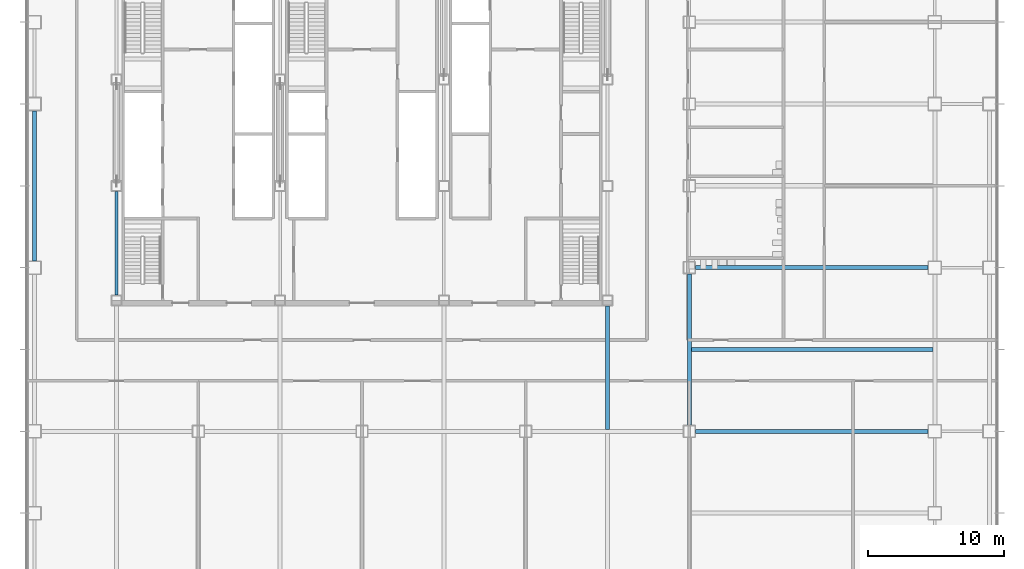
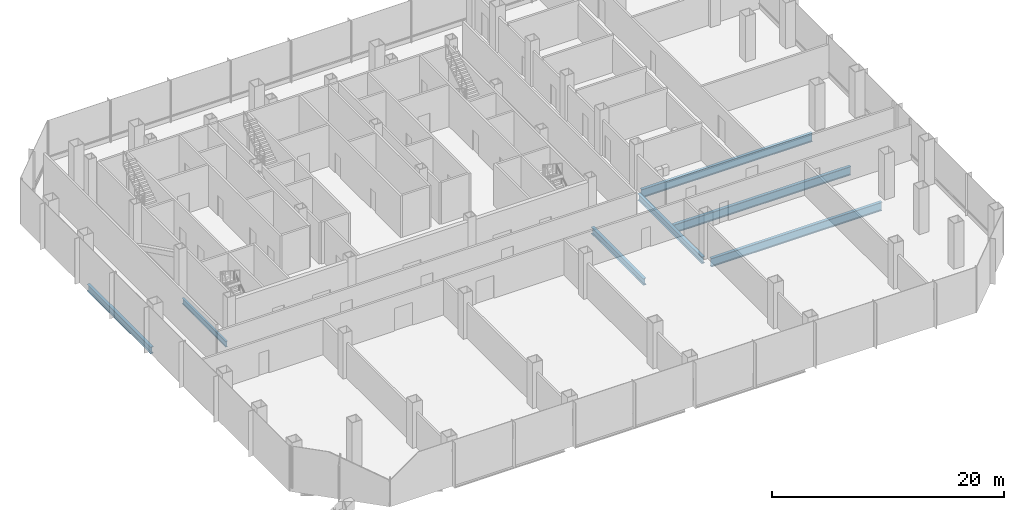
# One storey, part 10 of 33: 7 beams.
"""IFC4 building model written with IfcOpenShell, lengths in metres."""

from ifc_helpers import new_model, si_unit, direction, frame, origin, origin_2d, place, context, subcontext, project, spatial, i_section, extrude, material, material_profile, profile_set, type_object, element, save


model = new_model("IFC4")

# Units and contexts
model_context = context("Model", 3, precision=1e-05, world=origin(), true_north=direction((0.0, 1.0)))
body_context = subcontext(model_context, "Body", "Model", "MODEL_VIEW")
ifc_project = project(units=[si_unit("LENGTHUNIT", "METRE"), si_unit("AREAUNIT", "SQUARE_METRE"), si_unit("VOLUMEUNIT", "CUBIC_METRE"), si_unit("PLANEANGLEUNIT", "RADIAN"), si_unit("MASSUNIT", "GRAM", prefix="KILO")], contexts=[model_context])

# Site, building, storey
site_placement = place(None, origin())
site = spatial("IfcSite", under=ifc_project, at=site_placement, CompositionType="ELEMENT")
building_placement = place(site_placement, origin())
building = spatial("IfcBuilding", under=site, at=building_placement, Name="Sorahane Residences", CompositionType="ELEMENT")
storey_placement = place(building_placement, frame((0.0, 0.0, 34.800048828125)))
storey = spatial("IfcBuildingStorey", under=building, at=storey_placement, Name="L05", CompositionType="ELEMENT", Elevation=34.800048828125)

# Beams
ifc_material_1 = material(Name="Steel Q355B", Category="steel")
ifc_material_profile_1 = material_profile(ifc_material_1, i_section(OverallWidth=0.199951171875, OverallDepth=0.60009765625, WebThickness=0.010986328125, FlangeThickness=0.01708984375, FilletRadius=0.02392578125, at=origin_2d()), Name="HN 600x200x11x17")
ifc_profile_set_1 = profile_set([ifc_material_profile_1], Name="Steel Q355B")
beam_type_1 = type_object("IfcBeamType", Name="Steel floor beam HN 600x200x11x17 Q355B", PredefinedType="BEAM", material=ifc_profile_set_1)
beam_1_placement = place(storey_placement, frame((6.0, 22.0, -0.699951171875), z_axis=(0.0, 1.0, 0.0), x_axis=(-1.0, 0.0, 0.0)))
element("IfcBeam", 1, at=beam_1_placement, inside=storey, type_object=beam_type_1, Name="Beam L05 031", PredefinedType="BEAM", context=body_context, shape_type="SweptSolid", body=[
    extrude(i_section(OverallWidth=0.199951171875, OverallDepth=0.60009765625, WebThickness=0.010986328125, FlangeThickness=0.01708984375, FilletRadius=0.02392578125, at=origin_2d()), origin(), (0.0, 0.0, 1.0), 7.60009765625),
])
ifc_material_2 = material(Name="Steel Q355B", Category="steel")
ifc_material_profile_2 = material_profile(ifc_material_2, i_section(OverallWidth=0.300048828125, OverallDepth=0.699951171875, WebThickness=0.012939453125, FlangeThickness=0.02392578125, FilletRadius=0.028076171875, at=origin_2d()), Name="HN 700x300x13x24")
ifc_profile_set_2 = profile_set([ifc_material_profile_2], Name="Steel Q355B")
beam_type_2 = type_object("IfcBeamType", Name="Steel floor beam HN 700x300x13x24 Q355B", PredefinedType="BEAM", material=ifc_profile_set_2)
beam_2_placement = place(storey_placement, frame((0.0, 24.5, -0.75), z_axis=(0.0, 1.0, 0.0), x_axis=(-1.0, 0.0, 0.0)))
element("IfcBeam", 2, at=beam_2_placement, inside=storey, type_object=beam_type_2, Name="Beam L05 027", PredefinedType="BEAM", context=body_context, shape_type="SweptSolid", body=[
    extrude(i_section(OverallWidth=0.300048828125, OverallDepth=0.699951171875, WebThickness=0.012939453125, FlangeThickness=0.02392578125, FilletRadius=0.028076171875, at=origin_2d()), origin(), (0.0, 0.0, 1.0), 11.0),
])
beam_3_placement = place(storey_placement, frame((42.0, 12.14990234375, -0.75), z_axis=(0.0, 1.0, 0.0), x_axis=(-1.0, 0.0, 0.0)))
element("IfcBeam", 3, at=beam_3_placement, inside=storey, type_object=beam_type_2, Name="Beam L05 057", PredefinedType="BEAM", context=body_context, shape_type="SweptSolid", body=[
    extrude(i_section(OverallWidth=0.300048828125, OverallDepth=0.699951171875, WebThickness=0.012939453125, FlangeThickness=0.02392578125, FilletRadius=0.028076171875, at=origin_2d()), origin(), (0.0, 0.0, 1.0), 9.050048828125),
])
beam_4_placement = place(storey_placement, frame((48.0, 12.449951171875, -0.75), z_axis=(0.0, 1.0, 0.0), x_axis=(-1.0, 0.0, 0.0)))
element("IfcBeam", 4, at=beam_4_placement, inside=storey, type_object=beam_type_2, Name="Beam L05 064", PredefinedType="BEAM", context=body_context, shape_type="SweptSolid", body=[
    extrude(i_section(OverallWidth=0.300048828125, OverallDepth=0.699951171875, WebThickness=0.012939453125, FlangeThickness=0.02392578125, FilletRadius=0.028076171875, at=origin_2d()), origin(), (0.0, 0.0, 1.0), 11.10009765625),
])
ifc_material_3 = material(Name="Steel Q355B", Category="steel")
ifc_material_profile_3 = material_profile(ifc_material_3, i_section(OverallWidth=0.300048828125, OverallDepth=0.89990234375, WebThickness=0.01611328125, FlangeThickness=0.028076171875, FilletRadius=0.028076171875, at=origin_2d()), Name="HN 900x300x16x28")
ifc_profile_set_3 = profile_set([ifc_material_profile_3], Name="Steel Q355B")
beam_type_3 = type_object("IfcBeamType", Name="Steel floor beam HN 900x300x16x28 Q355B", PredefinedType="BEAM", material=ifc_profile_set_3)
for number, where, z_axis, x_axis, name in (
    (5, (48.449951171875, 12.0, -0.85009765625), (1.0, 0.0, 0.0), (0.0, 1.0, 0.0), "Beam L05 012"),
    (6, (48.449951171875, 24.0, -0.85009765625), (1.0, 0.0, 0.0), (0.0, 1.0, 0.0), "Beam L05 014"),
):
    element("IfcBeam", number, at=place(storey_placement, frame(where, z_axis=z_axis, x_axis=x_axis)), inside=storey, type_object=beam_type_3, Name=name, PredefinedType="BEAM", context=body_context, shape_type="SweptSolid", body=[
        extrude(i_section(OverallWidth=0.300048828125, OverallDepth=0.89990234375, WebThickness=0.01611328125, FlangeThickness=0.028076171875, FilletRadius=0.028076171875, at=origin_2d()), origin(), (0.0, 0.0, 1.0), 17.050048828125),
    ])
beam_5_placement = place(storey_placement, frame((48.150146484375, 18.0, -0.85009765625), z_axis=(1.0, 0.0, 0.0), x_axis=(0.0, 1.0, 0.0)))
element("IfcBeam", 7, at=beam_5_placement, inside=storey, type_object=beam_type_3, Name="Beam L05 084", PredefinedType="BEAM", context=body_context, shape_type="SweptSolid", body=[
    extrude(i_section(OverallWidth=0.300048828125, OverallDepth=0.89990234375, WebThickness=0.01611328125, FlangeThickness=0.028076171875, FilletRadius=0.028076171875, at=origin_2d()), origin(), (0.0, 0.0, 1.0), 17.69970703125),
])

save(model, "model.ifc")
